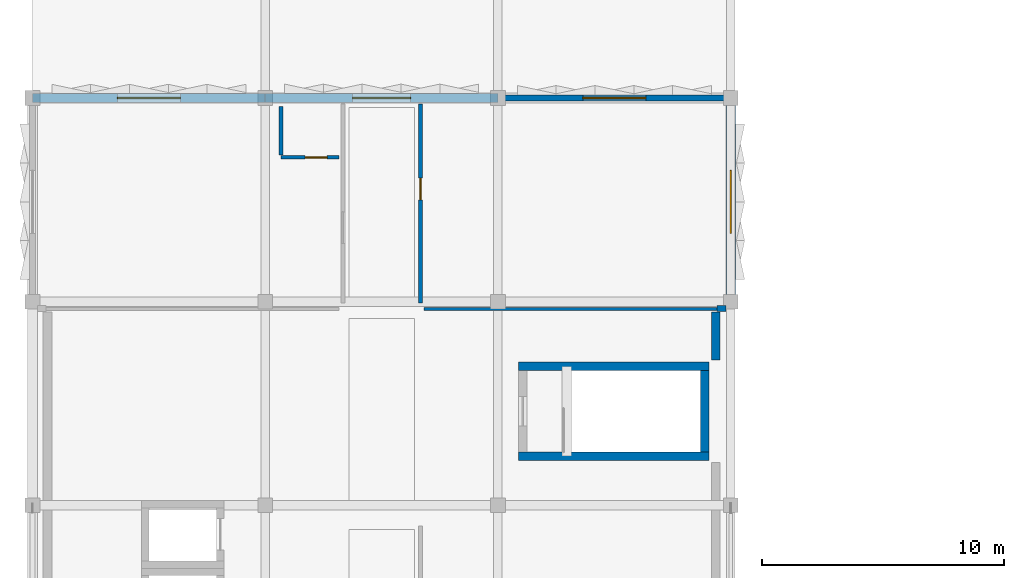
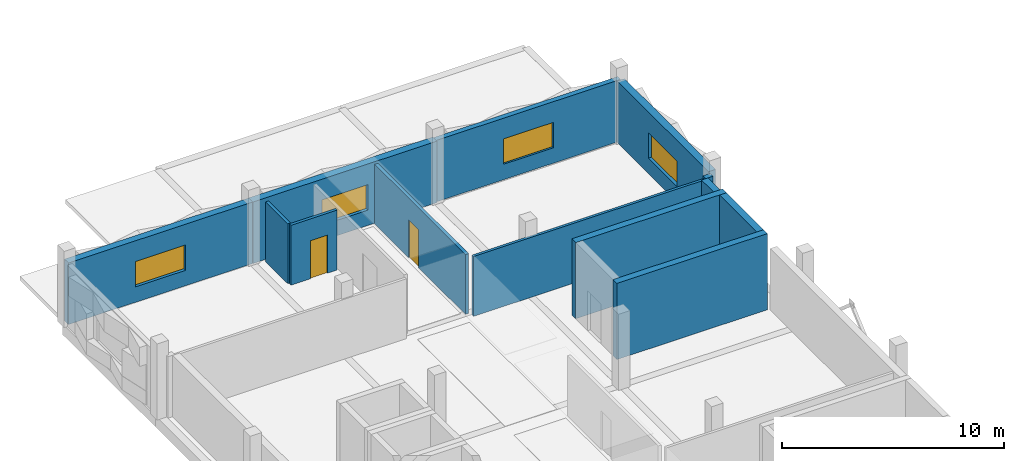
# One storey, part 8 of 18: 13 walls, 4 windows, 2 doors, 6 openings.
"""IFC4 building model written with IfcOpenShell, lengths in metres."""

from ifc_helpers import new_model, si_unit, direction, frame, frame_2d, origin, place, context, subcontext, project, spatial, rectangle, extrude, material, layer, layer_set, type_object, element, fill, save


model = new_model("IFC4")

# Units and contexts
model_context = context("Model", 3, precision=1e-05, world=origin(), true_north=direction((0.0, 1.0)))
body_context = subcontext(model_context, "Body", "Model", "MODEL_VIEW")
ifc_project = project(units=[si_unit("LENGTHUNIT", "METRE"), si_unit("AREAUNIT", "SQUARE_METRE"), si_unit("VOLUMEUNIT", "CUBIC_METRE"), si_unit("PLANEANGLEUNIT", "RADIAN"), si_unit("MASSUNIT", "GRAM", prefix="KILO")], contexts=[model_context])

# Site, building, storey
site_placement = place(None, origin())
site = spatial("IfcSite", under=ifc_project, at=site_placement, CompositionType="ELEMENT")
building_placement = place(site_placement, origin())
building = spatial("IfcBuilding", under=site, at=building_placement, Name="Oolite Switchyard Hospital", CompositionType="ELEMENT")
storey_placement = place(building_placement, frame((0.0, 0.0, 26.199951171875)))
storey = spatial("IfcBuildingStorey", under=building, at=storey_placement, Name="L06", CompositionType="ELEMENT", Elevation=26.199951171875)

# Wall, opening, window
ifc_material_1 = material(Name="Precast oolitic limestone architectural concrete C40/50", Category="masonry")
ifc_layer_1 = layer(ifc_material_1, 0.260009765625)
ifc_layer_set_1 = layer_set([ifc_layer_1], Name="WAL-EXT-260")
wall_type_1 = type_object("IfcWallType", Name="WAL-EXT-260", PredefinedType="SOLIDWALL", material=ifc_layer_set_1)
wall_1_placement = place(storey_placement, frame((19.199951171875, 75.60009765625, 0.0), z_axis=(0.0, 0.0, 1.0), x_axis=(1.0, 0.0, 0.0)))
wall_1 = element("IfcWall", 1, at=wall_1_placement, inside=storey, type_object=wall_type_1, Name="L06 Exterior Spandrel Wall 351", PredefinedType="SOLIDWALL", context=body_context, shape_type="SweptSolid", body=[
    extrude(rectangle(XDim=9.60009765625, YDim=0.260009765625, at=frame_2d((4.800048828125, 0.0))), origin(), (0.0, 0.0, 1.0), 3.39013671875),
])
opening_1_placement = place(wall_1_placement, frame((3.5, 0.0, 0.85009765625)))
opening_1 = element("IfcOpeningElement", 2, at=opening_1_placement, cuts=wall_1, Name="Opening WN-0222", PredefinedType="OPENING", context=body_context, shape_type="SweptSolid", body=[
    extrude(rectangle(XDim=2.60009765625, YDim=1.39990234375, at=frame_2d((1.300048828125, 0.699951171875))), frame((0.0, 0.14013671875, 0.0), z_axis=(0.0, -1.0, 0.0), x_axis=(1.0, 0.0, 0.0)), (0.0, 0.0, 1.0), 0.280029296875),
])
ifc_material_2 = material(Name="Thermally broken aluminum frame with laminated impact glazing", Category="aluminium")
window_type_1 = type_object("IfcWindowType", Name="WIN-IMP-260X140", PartitioningType="SINGLE_PANEL", PredefinedType="WINDOW", material=ifc_material_2)
window_1_placement = place(opening_1_placement, origin())
window_1 = element("IfcWindow", 3, at=window_1_placement, inside=storey, type_object=window_type_1, Name="L06 Hurricane Impact Window WN-0222", OverallHeight=1.39990234375, OverallWidth=2.60009765625, PartitioningType="SINGLE_PANEL", PredefinedType="WINDOW", context=body_context, shape_type="SweptSolid", body=[
    extrude(rectangle(XDim=2.60009765625, YDim=1.39990234375, at=frame_2d((1.300048828125, 0.699951171875))), frame((0.0, 0.030029296875, 0.0), z_axis=(0.0, -1.0, 0.0), x_axis=(1.0, 0.0, 0.0)), (0.0, 0.0, 1.0), 0.06005859375),
])
fill(opening_1, window_1)

# Walls
wall_2_placement = place(storey_placement, frame((28.60009765625, 66.919921875, 0.0), z_axis=(0.0, 0.0, 1.0), x_axis=(-1.0, 0.0, 0.0)))
element("IfcWall", 4, at=wall_2_placement, inside=storey, type_object=wall_type_1, Name="L06 Brace Alcove Cheek Wall 373", PredefinedType="SOLIDWALL", context=body_context, shape_type="SweptSolid", body=[
    extrude(rectangle(XDim=0.360107421875, YDim=0.260009765625, at=frame_2d((0.18017578125, 0.0))), origin(), (0.0, 0.0, 1.0), 3.39013671875),
])
ifc_layer_2 = layer(ifc_material_1, 0.340087890625)
ifc_layer_set_2 = layer_set([ifc_layer_2], Name="WAL-EXT-340")
wall_type_2 = type_object("IfcWallType", Name="WAL-EXT-340", PredefinedType="SOLIDWALL", material=ifc_layer_set_2)
wall_3_placement = place(storey_placement, frame((28.179931640625, 66.780029296875, 0.0), z_axis=(0.0, 0.0, 1.0), x_axis=(0.0, -1.0, 0.0)))
element("IfcWall", 5, at=wall_3_placement, inside=storey, type_object=wall_type_2, Name="L06 Exterior Spandrel Wall 376", PredefinedType="SOLIDWALL", context=body_context, shape_type="SweptSolid", body=[
    extrude(rectangle(XDim=1.9951171875, YDim=0.340087890625, at=frame_2d((0.99755859375, 0.0))), origin(), (0.0, 0.0, 1.0), 3.39013671875),
])

# Wall, opening, window
ifc_layer_3 = layer(ifc_material_1, 0.360107421875)
ifc_layer_set_3 = layer_set([ifc_layer_3], Name="WAL-EXT-360")
wall_type_3 = type_object("IfcWallType", Name="WAL-EXT-360", PredefinedType="SOLIDWALL", material=ifc_layer_set_3)
wall_4_placement = place(storey_placement, frame((0.0, 75.60009765625, 0.0), z_axis=(0.0, 0.0, 1.0), x_axis=(1.0, 0.0, 0.0)))
wall_4 = element("IfcWall", 6, at=wall_4_placement, inside=storey, type_object=wall_type_3, Name="L06 Exterior Spandrel Wall 349", PredefinedType="SOLIDWALL", context=body_context, shape_type="SweptSolid", body=[
    extrude(rectangle(XDim=9.60009765625, YDim=0.360107421875, at=frame_2d((4.800048828125, 0.0))), origin(), (0.0, 0.0, 1.0), 3.39013671875),
])
opening_2_placement = place(wall_4_placement, frame((3.5, 0.0, 0.85009765625)))
opening_2 = element("IfcOpeningElement", 7, at=opening_2_placement, cuts=wall_4, Name="Opening WN-0220", PredefinedType="OPENING", context=body_context, shape_type="SweptSolid", body=[
    extrude(rectangle(XDim=2.60009765625, YDim=1.39990234375, at=frame_2d((1.300048828125, 0.699951171875))), frame((0.0, 0.18994140625, 0.0), z_axis=(0.0, -1.0, 0.0), x_axis=(1.0, 0.0, 0.0)), (0.0, 0.0, 1.0), 0.380126953125),
])
window_2_placement = place(opening_2_placement, origin())
window_2 = element("IfcWindow", 8, at=window_2_placement, inside=storey, type_object=window_type_1, Name="L06 Hurricane Impact Window WN-0220", OverallHeight=1.39990234375, OverallWidth=2.60009765625, PartitioningType="SINGLE_PANEL", PredefinedType="WINDOW", context=body_context, shape_type="SweptSolid", body=[
    extrude(rectangle(XDim=2.60009765625, YDim=1.39990234375, at=frame_2d((1.300048828125, 0.699951171875))), frame((0.0, 0.030029296875, 0.0), z_axis=(0.0, -1.0, 0.0), x_axis=(1.0, 0.0, 0.0)), (0.0, 0.0, 1.0), 0.06005859375),
])
fill(opening_2, window_2)

ifc_layer_4 = layer(ifc_material_1, 0.3798828125)
ifc_layer_set_4 = layer_set([ifc_layer_4], Name="WAL-EXT-380")
wall_type_4 = type_object("IfcWallType", Name="WAL-EXT-380", PredefinedType="SOLIDWALL", material=ifc_layer_set_4)
wall_5_placement = place(storey_placement, frame((9.60009765625, 75.60009765625, 0.0), z_axis=(0.0, 0.0, 1.0), x_axis=(1.0, 0.0, 0.0)))
wall_5 = element("IfcWall", 9, at=wall_5_placement, inside=storey, type_object=wall_type_4, Name="L06 Exterior Spandrel Wall 350", PredefinedType="SOLIDWALL", context=body_context, shape_type="SweptSolid", body=[
    extrude(rectangle(XDim=9.599853515625, YDim=0.3798828125, at=frame_2d((4.7998046875, 0.0))), origin(), (0.0, 0.0, 1.0), 3.39013671875),
])
opening_3_placement = place(wall_5_placement, frame((3.60009765625, 0.0, 0.85009765625)))
opening_3 = element("IfcOpeningElement", 10, at=opening_3_placement, cuts=wall_5, Name="Opening WN-0221", PredefinedType="OPENING", context=body_context, shape_type="SweptSolid", body=[
    extrude(rectangle(XDim=2.39990234375, YDim=1.39990234375, at=frame_2d((1.199951171875, 0.699951171875))), frame((0.0, 0.199951171875, 0.0), z_axis=(0.0, -1.0, 0.0), x_axis=(1.0, 0.0, 0.0)), (0.0, 0.0, 1.0), 0.39990234375),
])
window_type_2 = type_object("IfcWindowType", Name="WIN-IMP-240X140", PartitioningType="SINGLE_PANEL", PredefinedType="WINDOW", material=ifc_material_2)
window_3_placement = place(opening_3_placement, origin())
window_3 = element("IfcWindow", 11, at=window_3_placement, inside=storey, type_object=window_type_2, Name="L06 Hurricane Impact Window WN-0221", OverallHeight=1.39990234375, OverallWidth=2.39990234375, PartitioningType="SINGLE_PANEL", PredefinedType="WINDOW", context=body_context, shape_type="SweptSolid", body=[
    extrude(rectangle(XDim=2.39990234375, YDim=1.39990234375, at=frame_2d((1.199951171875, 0.699951171875))), frame((0.0, 0.030029296875, 0.0), z_axis=(0.0, -1.0, 0.0), x_axis=(1.0, 0.0, 0.0)), (0.0, 0.0, 1.0), 0.06005859375),
])
fill(opening_3, window_3)

wall_6_placement = place(storey_placement, frame((28.800048828125, 75.43994140625, 0.0), z_axis=(0.0, 0.0, 1.0), x_axis=(0.0, -1.0, 0.0)))
wall_6 = element("IfcWall", 12, at=wall_6_placement, inside=storey, type_object=wall_type_4, Name="L06 Exterior Spandrel Wall 378", PredefinedType="SOLIDWALL", context=body_context, shape_type="SweptSolid", body=[
    extrude(rectangle(XDim=8.239990234375, YDim=0.3798828125, at=frame_2d((4.1201171875, 0.0))), origin(), (0.0, 0.0, 1.0), 3.39013671875),
])
opening_4_placement = place(wall_6_placement, frame((2.820068359375, 0.0, 0.85009765625)))
opening_4 = element("IfcOpeningElement", 13, at=opening_4_placement, cuts=wall_6, Name="Opening WN-0241", PredefinedType="OPENING", context=body_context, shape_type="SweptSolid", body=[
    extrude(rectangle(XDim=2.60009765625, YDim=1.39990234375, at=frame_2d((1.300048828125, 0.699951171875))), frame((0.0, 0.199951171875, 0.0), z_axis=(0.0, -1.0, 0.0), x_axis=(1.0, 0.0, 0.0)), (0.0, 0.0, 1.0), 0.39990234375),
])
window_4_placement = place(opening_4_placement, origin())
window_4 = element("IfcWindow", 14, at=window_4_placement, inside=storey, type_object=window_type_1, Name="L06 Hurricane Impact Window WN-0241", OverallHeight=1.39990234375, OverallWidth=2.60009765625, PartitioningType="SINGLE_PANEL", PredefinedType="WINDOW", context=body_context, shape_type="SweptSolid", body=[
    extrude(rectangle(XDim=2.60009765625, YDim=1.39990234375, at=frame_2d((1.300048828125, 0.699951171875))), frame((0.0, 0.030029296875, 0.0), z_axis=(0.0, -1.0, 0.0), x_axis=(1.0, 0.0, 0.0)), (0.0, 0.0, 1.0), 0.06005859375),
])
fill(opening_4, window_4)

# Wall
ifc_material_3 = material(Name="Moisture-resistant gypsum board on steel studs", Category="steel")
ifc_layer_5 = layer(ifc_material_3, 0.135009765625)
ifc_layer_set_5 = layer_set([ifc_layer_5], Name="WAL-PART-135")
wall_type_5 = type_object("IfcWallType", Name="WAL-PART-135", PredefinedType="PARTITIONING", material=ifc_layer_set_5)
wall_7_placement = place(storey_placement, frame((16.14990234375, 66.89990234375, 0.0), z_axis=(0.0, 0.0, 1.0), x_axis=(1.0, 0.0, 0.0)))
element("IfcWall", 15, at=wall_7_placement, inside=storey, type_object=wall_type_5, Name="L06 Interior Partition 874", PredefinedType="PARTITIONING", context=body_context, shape_type="SweptSolid", body=[
    extrude(rectangle(XDim=12.10009765625, YDim=0.135009765625, at=frame_2d((6.050048828125, 0.0))), origin(), (0.0, 0.0, 1.0), 3.300048828125),
])

# Wall, opening, door
ifc_layer_6 = layer(ifc_material_3, 0.14990234375)
ifc_layer_set_6 = layer_set([ifc_layer_6], Name="WAL-PART-150")
wall_type_6 = type_object("IfcWallType", Name="WAL-PART-150", PredefinedType="PARTITIONING", material=ifc_layer_set_6)
wall_8_placement = place(storey_placement, frame((10.25, 73.14990234375, 0.0), z_axis=(0.0, 0.0, 1.0), x_axis=(1.0, 0.0, 0.0)))
wall_8 = element("IfcWall", 16, at=wall_8_placement, inside=storey, type_object=wall_type_6, Name="L06 Interior Partition 870", PredefinedType="PARTITIONING", context=body_context, shape_type="SweptSolid", body=[
    extrude(rectangle(XDim=2.39990234375, YDim=0.14990234375, at=frame_2d((1.199951171875, 0.0))), origin(), (0.0, 0.0, 1.0), 3.300048828125),
])
opening_5_placement = place(wall_8_placement, frame((1.0, 0.0, 0.0)))
opening_5 = element("IfcOpeningElement", 17, at=opening_5_placement, cuts=wall_8, Name="Opening D-0483", PredefinedType="OPENING", context=body_context, shape_type="SweptSolid", body=[
    extrude(rectangle(XDim=0.89990234375, YDim=2.10009765625, at=frame_2d((0.449951171875, 1.050048828125))), frame((0.0, 0.0849609375, 0.0), z_axis=(0.0, -1.0, 0.0), x_axis=(1.0, 0.0, 0.0)), (0.0, 0.0, 1.0), 0.169921875),
])
ifc_material_4 = material(Name="Solid-core antimicrobial hardwood leaf in steel frame", Category="steel")
door_type = type_object("IfcDoorType", Name="DR-BATH-090X210", OperationType="NOTDEFINED", PredefinedType="DOOR", material=ifc_material_4)
door_1_placement = place(opening_5_placement, origin())
door_1 = element("IfcDoor", 18, at=door_1_placement, inside=storey, type_object=door_type, Name="L06 Interior Door D-0483", OperationType="SINGLE_SWING_LEFT", OverallHeight=2.10009765625, OverallWidth=0.89990234375, PredefinedType="DOOR", context=body_context, shape_type="SweptSolid", body=[
    extrude(rectangle(XDim=0.89990234375, YDim=2.10009765625, at=frame_2d((0.449951171875, 1.050048828125))), frame((0.0, 0.02490234375, 0.0), z_axis=(0.0, -1.0, 0.0), x_axis=(1.0, 0.0, 0.0)), (0.0, 0.0, 1.0), 0.050048828125),
])
fill(opening_5, door_1)

# Wall
wall_9_placement = place(storey_placement, frame((10.25, 73.25, 0.0), z_axis=(0.0, 0.0, 1.0), x_axis=(0.0, 1.0, 0.0)))
element("IfcWall", 19, at=wall_9_placement, inside=storey, type_object=wall_type_6, Name="L06 Interior Partition 871", PredefinedType="PARTITIONING", context=body_context, shape_type="SweptSolid", body=[
    extrude(rectangle(XDim=2.0, YDim=0.14990234375, at=frame_2d((1.0, 0.0))), origin(), (0.0, 0.0, 1.0), 3.300048828125),
])

# Wall, opening, door
ifc_layer_7 = layer(ifc_material_3, 0.1650390625)
ifc_layer_set_7 = layer_set([ifc_layer_7], Name="WAL-PART-165")
wall_type_7 = type_object("IfcWallType", Name="WAL-PART-165", PredefinedType="PARTITIONING", material=ifc_layer_set_7)
wall_10_placement = place(storey_placement, frame((16.0, 67.14990234375, 0.0), z_axis=(0.0, 0.0, 1.0), x_axis=(0.0, 1.0, 0.0)))
wall_10 = element("IfcWall", 20, at=wall_10_placement, inside=storey, type_object=wall_type_7, Name="L06 Interior Partition 873", PredefinedType="PARTITIONING", context=body_context, shape_type="SweptSolid", body=[
    extrude(rectangle(XDim=8.2001953125, YDim=0.1650390625, at=frame_2d((4.10009765625, 0.0))), origin(), (0.0, 0.0, 1.0), 3.300048828125),
])
opening_6_placement = place(wall_10_placement, frame((4.25, 0.0, 0.0)))
opening_6 = element("IfcOpeningElement", 21, at=opening_6_placement, cuts=wall_10, Name="Opening D-0484", PredefinedType="OPENING", context=body_context, shape_type="SweptSolid", body=[
    extrude(rectangle(XDim=0.89990234375, YDim=2.10009765625, at=frame_2d((0.449951171875, 1.050048828125))), frame((0.0, 0.092529296875, 0.0), z_axis=(0.0, -1.0, 0.0), x_axis=(1.0, 0.0, 0.0)), (0.0, 0.0, 1.0), 0.18505859375),
])
door_2_placement = place(opening_6_placement, origin())
door_2 = element("IfcDoor", 22, at=door_2_placement, inside=storey, type_object=door_type, Name="L06 Interior Door D-0484", OperationType="SINGLE_SWING_LEFT", OverallHeight=2.10009765625, OverallWidth=0.89990234375, PredefinedType="DOOR", context=body_context, shape_type="SweptSolid", body=[
    extrude(rectangle(XDim=0.89990234375, YDim=2.10009765625, at=frame_2d((0.449951171875, 1.050048828125))), frame((0.0, 0.02490234375, 0.0), z_axis=(0.0, -1.0, 0.0), x_axis=(1.0, 0.0, 0.0)), (0.0, 0.0, 1.0), 0.050048828125),
])
fill(opening_6, door_2)

# Walls
ifc_material_5 = material(Name="Concrete C50/60", Category="concrete")
ifc_layer_8 = layer(ifc_material_5, 0.35009765625)
ifc_layer_set_8 = layer_set([ifc_layer_8], Name="WAL-SHR-350")
wall_type_8 = type_object("IfcWallType", Name="WAL-SHR-350", PredefinedType="SHEAR", material=ifc_layer_set_8)
wall_11_placement = place(storey_placement, frame((20.050048828125, 60.824951171875, 0.0), z_axis=(0.0, 0.0, 1.0), x_axis=(1.0, 0.0, 0.0)))
element("IfcWall", 23, at=wall_11_placement, inside=storey, type_object=wall_type_8, Name="L06 Core Shear Wall ST-02", PredefinedType="SHEAR", context=body_context, shape_type="SweptSolid", body=[
    extrude(rectangle(XDim=7.849853515625, YDim=0.35009765625, at=frame_2d((3.9248046875, 0.0))), origin(), (0.0, 0.0, 1.0), 4.199951171875),
])
wall_12_placement = place(storey_placement, frame((27.72509765625, 61.0, 0.0), z_axis=(0.0, 0.0, 1.0), x_axis=(0.0, 1.0, 0.0)))
element("IfcWall", 24, at=wall_12_placement, inside=storey, type_object=wall_type_8, Name="L06 Core Shear Wall ST-02", PredefinedType="SHEAR", context=body_context, shape_type="SweptSolid", body=[
    extrude(rectangle(XDim=3.360107421875, YDim=0.35009765625, at=frame_2d((1.68017578125, 0.0))), origin(), (0.0, 0.0, 1.0), 4.199951171875),
])
wall_13_placement = place(storey_placement, frame((27.89990234375, 64.534912109375, 0.0), z_axis=(0.0, 0.0, 1.0), x_axis=(-1.0, 0.0, 0.0)))
element("IfcWall", 25, at=wall_13_placement, inside=storey, type_object=wall_type_8, Name="L06 Core Shear Wall ST-02", PredefinedType="SHEAR", context=body_context, shape_type="SweptSolid", body=[
    extrude(rectangle(XDim=7.849853515625, YDim=0.35009765625, at=frame_2d((3.9248046875, 0.0))), origin(), (0.0, 0.0, 1.0), 4.199951171875),
])

save(model, "model.ifc")
